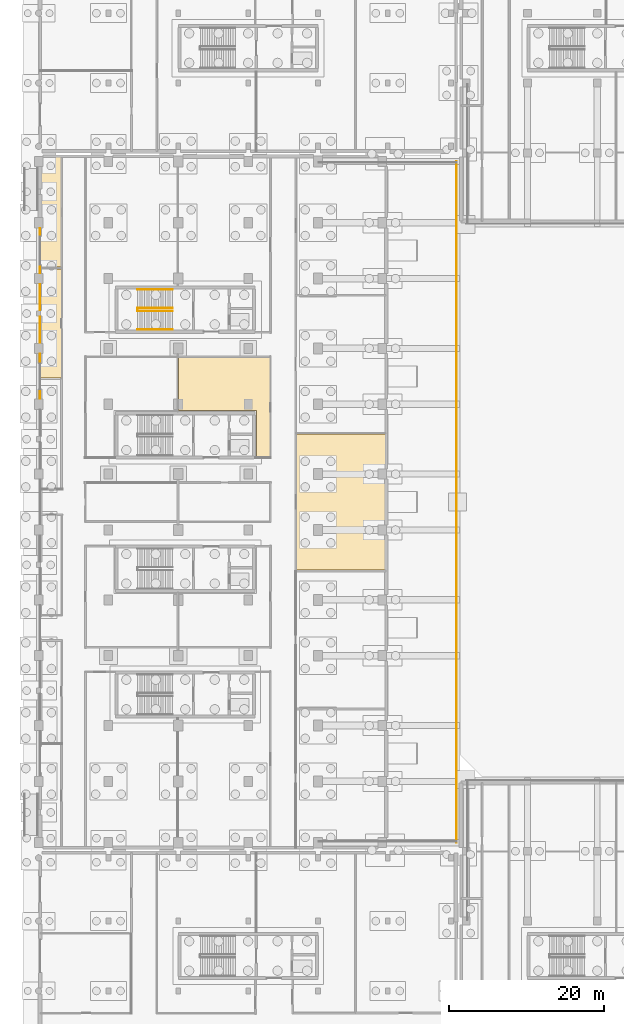
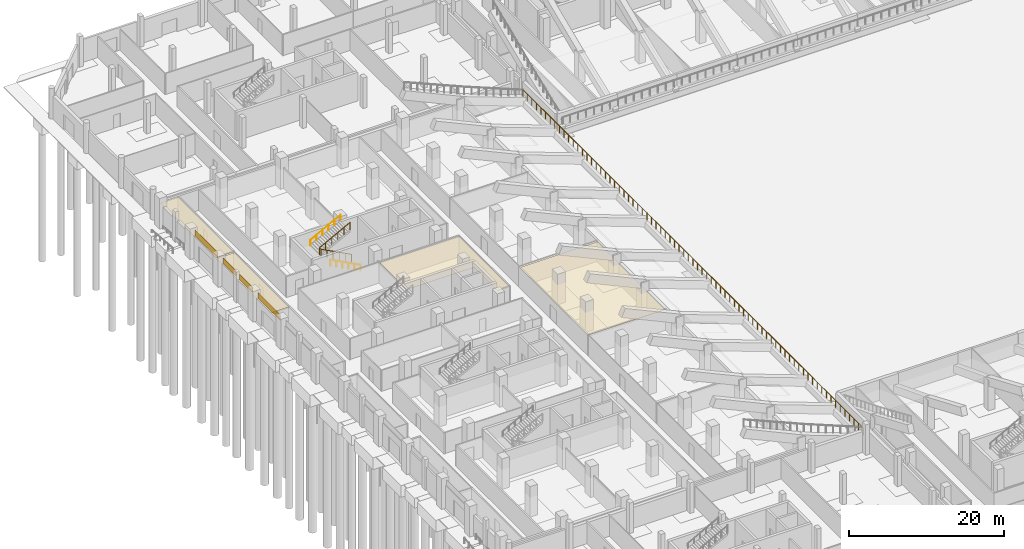
# One storey, part 45 of 53: 8 coverings, 4 railings.
"""IFC4 building model written with IfcOpenShell, lengths in metres."""

from ifc_helpers import new_model, si_unit, direction, frame, origin, origin_2d, place, context, subcontext, project, spatial, polyline, rectangle, circle, outline, extrude, material, layer, layer_set, type_object, element, save


model = new_model("IFC4")

# Units and contexts
model_context = context("Model", 3, precision=1e-05, world=origin(), true_north=direction((0.0, 1.0)))
body_context = subcontext(model_context, "Body", "Model", "MODEL_VIEW")
ifc_project = project(units=[si_unit("LENGTHUNIT", "METRE"), si_unit("AREAUNIT", "SQUARE_METRE"), si_unit("VOLUMEUNIT", "CUBIC_METRE"), si_unit("PLANEANGLEUNIT", "RADIAN"), si_unit("MASSUNIT", "GRAM", prefix="KILO"), si_unit("THERMODYNAMICTEMPERATUREUNIT", "KELVIN"), si_unit("POWERUNIT", "WATT")], contexts=[model_context])

# Site, building, storey
site_placement = place(None, origin())
site = spatial("IfcSite", under=ifc_project, at=site_placement, CompositionType="ELEMENT")
building_placement = place(site_placement, origin())
building = spatial("IfcBuilding", under=site, at=building_placement, Name="Sindhuravela Promenade Stadium", CompositionType="ELEMENT")
storey_placement = place(building_placement, origin())
storey = spatial("IfcBuildingStorey", under=building, at=storey_placement, Name="L00", CompositionType="ELEMENT", Elevation=0.0)

# Coverings
ifc_material_1 = material(Name="Acoustic mineral-fibre ceiling tile", Category="gypsum")
ifc_layer_1 = layer(ifc_material_1, 0.02490234375)
ifc_layer_set_1 = layer_set([ifc_layer_1], Name="Acoustic mineral-fibre ceiling tile")
covering_type_1 = type_object("IfcCoveringType", Name="CV-CEIL-1", PredefinedType="CEILING", material=ifc_layer_set_1)
covering_1_placement = place(storey_placement, frame((0.0, 0.0, 3.050048828125)))
element("IfcCovering", 1, at=covering_1_placement, inside=storey, type_object=covering_type_1, Name="Acoustic ceiling Home Team Changing Suite 2", PredefinedType="CEILING", context=body_context, shape_type="SweptSolid", body=[
    extrude(outline(polyline([(29.860107421875, 99.72998046875), (29.862060546875, 99.72998046875), (29.864013671875, 99.7294921875), (29.86572265625, 99.72900390625), (29.86767578125, 99.728515625), (29.869384765625, 99.7275390625), (29.87109375, 99.7265625), (29.872802734375, 99.7255859375), (29.8740234375, 99.72412109375), (29.87548828125, 99.72265625), (29.876708984375, 99.72119140625), (29.877685546875, 99.719482421875), (29.87841796875, 99.7177734375), (29.879150390625, 99.7158203125), (29.879638671875, 99.7138671875), (29.8798828125, 99.7119140625), (29.8798828125, 99.7099609375), (29.8798828125, 86.68994140625), (29.8798828125, 86.68798828125), (29.879638671875, 86.68603515625), (29.879150390625, 86.68408203125), (29.87841796875, 86.682373046875), (29.877685546875, 86.6806640625), (29.876708984375, 86.678955078125), (29.87548828125, 86.67724609375), (29.8740234375, 86.67578125), (29.872802734375, 86.674560546875), (29.87109375, 86.67333984375), (29.869384765625, 86.67236328125), (29.86767578125, 86.67138671875), (29.86572265625, 86.6708984375), (29.864013671875, 86.67041015625), (29.862060546875, 86.670166015625), (29.860107421875, 86.669921875), (28.10009765625, 86.669921875), (28.097900390625, 86.670166015625), (28.09619140625, 86.67041015625), (28.09423828125, 86.6708984375), (28.09228515625, 86.67138671875), (28.090576171875, 86.67236328125), (28.0888671875, 86.67333984375), (28.08740234375, 86.674560546875), (28.0859375, 86.67578125), (28.08447265625, 86.67724609375), (28.08349609375, 86.678955078125), (28.08251953125, 86.6806640625), (28.08154296875, 86.682373046875), (28.080810546875, 86.68408203125), (28.080322265625, 86.68603515625), (28.080078125, 86.68798828125), (28.080078125, 86.68994140625), (28.080078125, 92.780029296875), (18.070068359375, 92.780029296875), (18.068115234375, 92.780029296875), (18.066162109375, 92.780517578125), (18.064208984375, 92.781005859375), (18.062255859375, 92.781494140625), (18.060546875, 92.782470703125), (18.058837890625, 92.783447265625), (18.057373046875, 92.784423828125), (18.055908203125, 92.785888671875), (18.054443359375, 92.787353515625), (18.053466796875, 92.788818359375), (18.052490234375, 92.79052734375), (18.051513671875, 92.792236328125), (18.05078125, 92.794189453125), (18.05029296875, 92.796142578125), (18.050048828125, 92.798095703125), (18.050048828125, 92.800048828125), (18.050048828125, 99.7099609375), (18.050048828125, 99.7119140625), (18.05029296875, 99.7138671875), (18.05078125, 99.7158203125), (18.051513671875, 99.7177734375), (18.052490234375, 99.719482421875), (18.053466796875, 99.72119140625), (18.054443359375, 99.72265625), (18.055908203125, 99.72412109375), (18.057373046875, 99.7255859375), (18.058837890625, 99.7265625), (18.060546875, 99.7275390625), (18.062255859375, 99.728515625), (18.064208984375, 99.72900390625), (18.066162109375, 99.7294921875), (18.068115234375, 99.72998046875), (18.070068359375, 99.72998046875), (29.860107421875, 99.72998046875)])), origin(), (0.0, 0.0, 1.0), 0.02490234375),
])
covering_2_placement = place(storey_placement, frame((0.0, 0.0, 3.050048828125)))
element("IfcCovering", 2, at=covering_2_placement, inside=storey, type_object=covering_type_1, Name="Acoustic ceiling Media Mixed Zone Hall 8", PredefinedType="CEILING", context=body_context, shape_type="SweptSolid", body=[
    extrude(outline(polyline([(2.97998046875, 97.023193359375), (2.97998046875, 97.021484375), (2.9794921875, 97.019287109375), (2.97900390625, 97.017578125), (2.978515625, 97.015625), (2.9775390625, 97.013916015625), (2.9765625, 97.01220703125), (2.9755859375, 97.010498046875), (2.97412109375, 97.00927734375), (2.97265625, 97.0078125), (2.97119140625, 97.006591796875), (2.969482421875, 97.005615234375), (2.9677734375, 97.0048828125), (2.9658203125, 97.004150390625), (2.9638671875, 97.003662109375), (2.9619140625, 97.00341796875), (2.9599609375, 97.00341796875), (0.320068359375, 97.00341796875), (0.318115234375, 97.00341796875), (0.316162109375, 97.003662109375), (0.314208984375, 97.004150390625), (0.312255859375, 97.0048828125), (0.310546875, 97.005615234375), (0.308837890625, 97.006591796875), (0.307373046875, 97.0078125), (0.305908203125, 97.00927734375), (0.304443359375, 97.010498046875), (0.303466796875, 97.01220703125), (0.302490234375, 97.013916015625), (0.301513671875, 97.015625), (0.30078125, 97.017578125), (0.30029296875, 97.019287109375), (0.300048828125, 97.021484375), (0.300048828125, 97.023193359375), (0.300048828125, 111.046630859375), (0.300048828125, 111.048583984375), (0.30029296875, 111.050537109375), (0.30078125, 111.052490234375), (0.301513671875, 111.05419921875), (0.302490234375, 111.05615234375), (0.303466796875, 111.057861328125), (0.304443359375, 111.059326171875), (0.305908203125, 111.060791015625), (0.307373046875, 111.06201171875), (0.308837890625, 111.063232421875), (0.310546875, 111.064208984375), (0.312255859375, 111.065185546875), (0.314208984375, 111.06591796875), (0.316162109375, 111.06640625), (0.318115234375, 111.066650390625), (0.320068359375, 111.066650390625), (2.9599609375, 111.066650390625), (2.9619140625, 111.066650390625), (2.9638671875, 111.06640625), (2.9658203125, 111.06591796875), (2.9677734375, 111.065185546875), (2.969482421875, 111.064208984375), (2.97119140625, 111.063232421875), (2.97265625, 111.06201171875), (2.97412109375, 111.060791015625), (2.9755859375, 111.059326171875), (2.9765625, 111.057861328125), (2.9775390625, 111.05615234375), (2.978515625, 111.05419921875), (2.97900390625, 111.052490234375), (2.9794921875, 111.050537109375), (2.97998046875, 111.048583984375), (2.97998046875, 111.046630859375), (2.97998046875, 97.023193359375)])), origin(), (0.0, 0.0, 1.0), 0.02490234375),
])
ifc_layer_2 = layer(ifc_material_1, 0.044921875)
ifc_layer_set_2 = layer_set([ifc_layer_2], Name="Acoustic mineral-fibre ceiling tile")
covering_type_2 = type_object("IfcCoveringType", Name="CV-CEIL-2", PredefinedType="CEILING", material=ifc_layer_set_2)
covering_3_placement = place(storey_placement, frame((0.0, 0.0, 3.050048828125)))
element("IfcCovering", 3, at=covering_3_placement, inside=storey, type_object=covering_type_2, Name="Acoustic ceiling Media Mixed Zone Hall", PredefinedType="CEILING", context=body_context, shape_type="SweptSolid", body=[
    extrude(outline(polyline([(44.699951171875, 72.23388671875), (44.699951171875, 72.23193359375), (44.69970703125, 72.22998046875), (44.69921875, 72.228271484375), (44.698486328125, 72.226318359375), (44.697509765625, 72.224609375), (44.696533203125, 72.222900390625), (44.695556640625, 72.22119140625), (44.694091796875, 72.219970703125), (44.692626953125, 72.218505859375), (44.691162109375, 72.21728515625), (44.689453125, 72.21630859375), (44.687744140625, 72.215576171875), (44.685791015625, 72.21484375), (44.683837890625, 72.21435546875), (44.681884765625, 72.214111328125), (44.679931640625, 72.214111328125), (33.139892578125, 72.214111328125), (33.137939453125, 72.214111328125), (33.135986328125, 72.21435546875), (33.13427734375, 72.21484375), (33.13232421875, 72.215576171875), (33.130615234375, 72.21630859375), (33.12890625, 72.21728515625), (33.127197265625, 72.218505859375), (33.1259765625, 72.219970703125), (33.12451171875, 72.22119140625), (33.123291015625, 72.222900390625), (33.122314453125, 72.224609375), (33.12158203125, 72.226318359375), (33.120849609375, 72.228271484375), (33.120361328125, 72.22998046875), (33.1201171875, 72.23193359375), (33.1201171875, 72.23388671875), (33.1201171875, 89.76611328125), (33.1201171875, 89.76806640625), (33.120361328125, 89.77001953125), (33.120849609375, 89.771728515625), (33.12158203125, 89.773681640625), (33.122314453125, 89.775390625), (33.123291015625, 89.777099609375), (33.12451171875, 89.77880859375), (33.1259765625, 89.780029296875), (33.127197265625, 89.781494140625), (33.12890625, 89.78271484375), (33.130615234375, 89.78369140625), (33.13232421875, 89.784423828125), (33.13427734375, 89.78515625), (33.135986328125, 89.78564453125), (33.137939453125, 89.785888671875), (33.139892578125, 89.785888671875), (44.679931640625, 89.785888671875), (44.681884765625, 89.785888671875), (44.683837890625, 89.78564453125), (44.685791015625, 89.78515625), (44.687744140625, 89.784423828125), (44.689453125, 89.78369140625), (44.691162109375, 89.78271484375), (44.692626953125, 89.781494140625), (44.694091796875, 89.780029296875), (44.695556640625, 89.77880859375), (44.696533203125, 89.777099609375), (44.697509765625, 89.775390625), (44.698486328125, 89.773681640625), (44.69921875, 89.771728515625), (44.69970703125, 89.77001953125), (44.699951171875, 89.76806640625), (44.699951171875, 89.76611328125), (44.699951171875, 72.23388671875)])), origin(), (0.0, 0.0, 1.0), 0.044921875),
])
covering_4_placement = place(storey_placement, frame((0.0, 0.0, 3.050048828125)))
element("IfcCovering", 4, at=covering_4_placement, inside=storey, type_object=covering_type_2, Name="Acoustic ceiling Indoor Player Warm-Up Hall 7", PredefinedType="CEILING", context=body_context, shape_type="SweptSolid", body=[
    extrude(outline(polyline([(2.9599609375, 125.449951171875), (2.9619140625, 125.449951171875), (2.9638671875, 125.44970703125), (2.9658203125, 125.44921875), (2.9677734375, 125.448486328125), (2.969482421875, 125.447509765625), (2.97119140625, 125.446533203125), (2.97265625, 125.445556640625), (2.97412109375, 125.444091796875), (2.9755859375, 125.442626953125), (2.9765625, 125.441162109375), (2.9775390625, 125.439453125), (2.978515625, 125.437744140625), (2.97900390625, 125.435791015625), (2.9794921875, 125.433837890625), (2.97998046875, 125.431884765625), (2.97998046875, 125.429931640625), (2.97998046875, 111.28662109375), (2.97998046875, 111.28466796875), (2.9794921875, 111.28271484375), (2.97900390625, 111.281005859375), (2.978515625, 111.279052734375), (2.9775390625, 111.277099609375), (2.9765625, 111.275634765625), (2.9755859375, 111.27392578125), (2.97412109375, 111.2724609375), (2.97265625, 111.271240234375), (2.97119140625, 111.27001953125), (2.969482421875, 111.26904296875), (2.9677734375, 111.268310546875), (2.9658203125, 111.267578125), (2.9638671875, 111.26708984375), (2.9619140625, 111.266845703125), (2.9599609375, 111.2666015625), (0.320068359375, 111.2666015625), (0.318115234375, 111.266845703125), (0.316162109375, 111.26708984375), (0.314208984375, 111.267578125), (0.312255859375, 111.268310546875), (0.310546875, 111.26904296875), (0.308837890625, 111.27001953125), (0.307373046875, 111.271240234375), (0.305908203125, 111.2724609375), (0.304443359375, 111.27392578125), (0.303466796875, 111.275634765625), (0.302490234375, 111.277099609375), (0.301513671875, 111.279052734375), (0.30078125, 111.281005859375), (0.30029296875, 111.28271484375), (0.300048828125, 111.28466796875), (0.300048828125, 111.28662109375), (0.300048828125, 125.429931640625), (0.300048828125, 125.431884765625), (0.30029296875, 125.433837890625), (0.30078125, 125.435791015625), (0.301513671875, 125.437744140625), (0.302490234375, 125.439453125), (0.303466796875, 125.441162109375), (0.304443359375, 125.442626953125), (0.305908203125, 125.444091796875), (0.307373046875, 125.445556640625), (0.308837890625, 125.446533203125), (0.310546875, 125.447509765625), (0.312255859375, 125.448486328125), (0.314208984375, 125.44921875), (0.316162109375, 125.44970703125), (0.318115234375, 125.449951171875), (0.320068359375, 125.449951171875), (2.9599609375, 125.449951171875)])), origin(), (0.0, 0.0, 1.0), 0.044921875),
])
ifc_material_2 = material(Name="Polychrome trencadis ceramic mosaic", Category="masonry")
ifc_layer_3 = layer(ifc_material_2, 0.034912109375)
ifc_layer_set_3 = layer_set([ifc_layer_3], Name="Polychrome trencadis ceramic mosaic")
covering_type_3 = type_object("IfcCoveringType", Name="CV-TRENC-1", PredefinedType="CLADDING", material=ifc_layer_set_3)
covering_5_placement = place(storey_placement, frame((0.179931640625, 97.199951171875, 3.55517578125), z_axis=(0.0, 0.0, 1.0), x_axis=(0.0, 1.0, 0.0)))
element("IfcCovering", 5, at=covering_5_placement, inside=storey, type_object=covering_type_3, Name="Trencadis ceramic mosaic spandrel frieze WEST L00-10", PredefinedType="CLADDING", context=body_context, shape_type="SweptSolid", body=[
    extrude(rectangle(XDim=5.77001953125, YDim=0.034912109375, at=origin_2d()), origin(), (0.0, 0.0, 1.0), 0.905029296875),
])
covering_6_placement = place(storey_placement, frame((0.179931640625, 107.39990234375, 3.55517578125), z_axis=(0.0, 0.0, 1.0), x_axis=(0.0, 1.0, 0.0)))
element("IfcCovering", 6, at=covering_6_placement, inside=storey, type_object=covering_type_3, Name="Trencadis ceramic mosaic spandrel frieze WEST L00-12", PredefinedType="CLADDING", context=body_context, shape_type="SweptSolid", body=[
    extrude(rectangle(XDim=3.3701171875, YDim=0.034912109375, at=origin_2d()), origin(), (0.0, 0.0, 1.0), 0.905029296875),
])
ifc_layer_4 = layer(ifc_material_2, 0.050048828125)
ifc_layer_set_4 = layer_set([ifc_layer_4], Name="Polychrome trencadis ceramic mosaic")
covering_type_4 = type_object("IfcCoveringType", Name="CV-TRENC-2", PredefinedType="CLADDING", material=ifc_layer_set_4)
covering_7_placement = place(storey_placement, frame((0.179931640625, 103.199951171875, 3.55517578125), z_axis=(0.0, 0.0, 1.0), x_axis=(0.0, 1.0, 0.0)))
element("IfcCovering", 7, at=covering_7_placement, inside=storey, type_object=covering_type_4, Name="Trencadis ceramic mosaic spandrel frieze WEST L00-11", PredefinedType="CLADDING", context=body_context, shape_type="SweptSolid", body=[
    extrude(rectangle(XDim=3.3701171875, YDim=0.050048828125, at=origin_2d()), origin(), (0.0, 0.0, 1.0), 0.905029296875),
])
covering_8_placement = place(storey_placement, frame((0.179931640625, 113.39990234375, 3.55517578125), z_axis=(0.0, 0.0, 1.0), x_axis=(0.0, 1.0, 0.0)))
element("IfcCovering", 8, at=covering_8_placement, inside=storey, type_object=covering_type_4, Name="Trencadis ceramic mosaic spandrel frieze WEST L00-13", PredefinedType="CLADDING", context=body_context, shape_type="SweptSolid", body=[
    extrude(rectangle(XDim=5.77001953125, YDim=0.050048828125, at=origin_2d()), origin(), (0.0, 0.0, 1.0), 0.905029296875),
])

# Railings
ifc_material_3 = material(Name="Architectural wrought steel E350", Category="steel")
railing_type_1 = type_object("IfcRailingType", Name="RL-GRD-1150", PredefinedType="GUARDRAIL", material=ifc_material_3)
railing_1_placement = place(storey_placement, frame((53.85009765625, 37.10009765625, 1.449951171875)))
element("IfcRailing", 9, at=railing_1_placement, inside=storey, type_object=railing_type_1, Name="Stand bowl crowd barrier GR01-89", PredefinedType="GUARDRAIL", context=body_context, shape_type="SweptSolid", body=[
    extrude(circle(Radius=0.02392578125, at=origin_2d()), frame((0.0, 0.0, 1.1259765625), z_axis=(0.0, 1.0, 0.0), x_axis=(-1.0, 0.0, 0.0)), (0.0, 0.0, 1.0), 87.7998046875),
    extrude(circle(Radius=0.02099609375, at=origin_2d()), origin(), (0.0, 0.0, 1.0), 1.101806640625),
    extrude(circle(Radius=0.02099609375, at=origin_2d()), frame((0.0, 1.1865234375, 0.0)), (0.0, 0.0, 1.0), 1.101806640625),
    extrude(circle(Radius=0.02099609375, at=origin_2d()), frame((0.0, 2.373046875, 0.0)), (0.0, 0.0, 1.0), 1.101806640625),
    extrude(circle(Radius=0.02099609375, at=origin_2d()), frame((0.0, 3.5595703125, 0.0)), (0.0, 0.0, 1.0), 1.101806640625),
    extrude(circle(Radius=0.02099609375, at=origin_2d()), frame((0.0, 4.745849609375, 0.0)), (0.0, 0.0, 1.0), 1.101806640625),
    extrude(circle(Radius=0.02099609375, at=origin_2d()), frame((0.0, 5.932373046875, 0.0)), (0.0, 0.0, 1.0), 1.101806640625),
    extrude(circle(Radius=0.02099609375, at=origin_2d()), frame((0.0, 7.118896484375, 0.0)), (0.0, 0.0, 1.0), 1.101806640625),
    extrude(circle(Radius=0.02099609375, at=origin_2d()), frame((0.0, 8.305419921875, 0.0)), (0.0, 0.0, 1.0), 1.101806640625),
    extrude(circle(Radius=0.02099609375, at=origin_2d()), frame((0.0, 9.491943359375, 0.0)), (0.0, 0.0, 1.0), 1.101806640625),
    extrude(circle(Radius=0.02099609375, at=origin_2d()), frame((0.0, 10.678466796875, 0.0)), (0.0, 0.0, 1.0), 1.101806640625),
    extrude(circle(Radius=0.02099609375, at=origin_2d()), frame((0.0, 11.86474609375, 0.0)), (0.0, 0.0, 1.0), 1.101806640625),
    extrude(circle(Radius=0.02099609375, at=origin_2d()), frame((0.0, 13.05126953125, 0.0)), (0.0, 0.0, 1.0), 1.101806640625),
    extrude(circle(Radius=0.02099609375, at=origin_2d()), frame((0.0, 14.23779296875, 0.0)), (0.0, 0.0, 1.0), 1.101806640625),
    extrude(circle(Radius=0.02099609375, at=origin_2d()), frame((0.0, 15.42431640625, 0.0)), (0.0, 0.0, 1.0), 1.101806640625),
    extrude(circle(Radius=0.02099609375, at=origin_2d()), frame((0.0, 16.61083984375, 0.0)), (0.0, 0.0, 1.0), 1.101806640625),
    extrude(circle(Radius=0.02099609375, at=origin_2d()), frame((0.0, 17.79736328125, 0.0)), (0.0, 0.0, 1.0), 1.101806640625),
    extrude(circle(Radius=0.02099609375, at=origin_2d()), frame((0.0, 18.983642578125, 0.0)), (0.0, 0.0, 1.0), 1.101806640625),
    extrude(circle(Radius=0.02099609375, at=origin_2d()), frame((0.0, 20.170166015625, 0.0)), (0.0, 0.0, 1.0), 1.101806640625),
    extrude(circle(Radius=0.02099609375, at=origin_2d()), frame((0.0, 21.356689453125, 0.0)), (0.0, 0.0, 1.0), 1.101806640625),
    extrude(circle(Radius=0.02099609375, at=origin_2d()), frame((0.0, 22.543212890625, 0.0)), (0.0, 0.0, 1.0), 1.101806640625),
    extrude(circle(Radius=0.02099609375, at=origin_2d()), frame((0.0, 23.729736328125, 0.0)), (0.0, 0.0, 1.0), 1.101806640625),
    extrude(circle(Radius=0.02099609375, at=origin_2d()), frame((0.0, 24.916259765625, 0.0)), (0.0, 0.0, 1.0), 1.101806640625),
    extrude(circle(Radius=0.02099609375, at=origin_2d()), frame((0.0, 26.1025390625, 0.0)), (0.0, 0.0, 1.0), 1.101806640625),
    extrude(circle(Radius=0.02099609375, at=origin_2d()), frame((0.0, 27.2890625, 0.0)), (0.0, 0.0, 1.0), 1.101806640625),
    extrude(circle(Radius=0.02099609375, at=origin_2d()), frame((0.0, 28.4755859375, 0.0)), (0.0, 0.0, 1.0), 1.101806640625),
    extrude(circle(Radius=0.02099609375, at=origin_2d()), frame((0.0, 29.662109375, 0.0)), (0.0, 0.0, 1.0), 1.101806640625),
    extrude(circle(Radius=0.02099609375, at=origin_2d()), frame((0.0, 30.8486328125, 0.0)), (0.0, 0.0, 1.0), 1.101806640625),
    extrude(circle(Radius=0.02099609375, at=origin_2d()), frame((0.0, 32.03515625, 0.0)), (0.0, 0.0, 1.0), 1.101806640625),
    extrude(circle(Radius=0.02099609375, at=origin_2d()), frame((0.0, 33.221435546875, 0.0)), (0.0, 0.0, 1.0), 1.101806640625),
    extrude(circle(Radius=0.02099609375, at=origin_2d()), frame((0.0, 34.407958984375, 0.0)), (0.0, 0.0, 1.0), 1.101806640625),
    extrude(circle(Radius=0.02099609375, at=origin_2d()), frame((0.0, 35.594482421875, 0.0)), (0.0, 0.0, 1.0), 1.101806640625),
    extrude(circle(Radius=0.02099609375, at=origin_2d()), frame((0.0, 36.781005859375, 0.0)), (0.0, 0.0, 1.0), 1.101806640625),
    extrude(circle(Radius=0.02099609375, at=origin_2d()), frame((0.0, 37.967529296875, 0.0)), (0.0, 0.0, 1.0), 1.101806640625),
    extrude(circle(Radius=0.02099609375, at=origin_2d()), frame((0.0, 39.154052734375, 0.0)), (0.0, 0.0, 1.0), 1.101806640625),
    extrude(circle(Radius=0.02099609375, at=origin_2d()), frame((0.0, 40.34033203125, 0.0)), (0.0, 0.0, 1.0), 1.101806640625),
    extrude(circle(Radius=0.02099609375, at=origin_2d()), frame((0.0, 41.52685546875, 0.0)), (0.0, 0.0, 1.0), 1.101806640625),
    extrude(circle(Radius=0.02099609375, at=origin_2d()), frame((0.0, 42.71337890625, 0.0)), (0.0, 0.0, 1.0), 1.101806640625),
    extrude(circle(Radius=0.02099609375, at=origin_2d()), frame((0.0, 43.89990234375, 0.0)), (0.0, 0.0, 1.0), 1.101806640625),
    extrude(circle(Radius=0.02099609375, at=origin_2d()), frame((0.0, 45.08642578125, 0.0)), (0.0, 0.0, 1.0), 1.101806640625),
    extrude(circle(Radius=0.02099609375, at=origin_2d()), frame((0.0, 46.27294921875, 0.0)), (0.0, 0.0, 1.0), 1.101806640625),
    extrude(circle(Radius=0.02099609375, at=origin_2d()), frame((0.0, 47.45947265625, 0.0)), (0.0, 0.0, 1.0), 1.101806640625),
    extrude(circle(Radius=0.02099609375, at=origin_2d()), frame((0.0, 48.645751953125, 0.0)), (0.0, 0.0, 1.0), 1.101806640625),
    extrude(circle(Radius=0.02099609375, at=origin_2d()), frame((0.0, 49.832275390625, 0.0)), (0.0, 0.0, 1.0), 1.101806640625),
    extrude(circle(Radius=0.02099609375, at=origin_2d()), frame((0.0, 51.018798828125, 0.0)), (0.0, 0.0, 1.0), 1.101806640625),
    extrude(circle(Radius=0.02099609375, at=origin_2d()), frame((0.0, 52.205322265625, 0.0)), (0.0, 0.0, 1.0), 1.101806640625),
    extrude(circle(Radius=0.02099609375, at=origin_2d()), frame((0.0, 53.391845703125, 0.0)), (0.0, 0.0, 1.0), 1.101806640625),
    extrude(circle(Radius=0.02099609375, at=origin_2d()), frame((0.0, 54.578369140625, 0.0)), (0.0, 0.0, 1.0), 1.101806640625),
    extrude(circle(Radius=0.02099609375, at=origin_2d()), frame((0.0, 55.7646484375, 0.0)), (0.0, 0.0, 1.0), 1.101806640625),
    extrude(circle(Radius=0.02099609375, at=origin_2d()), frame((0.0, 56.951171875, 0.0)), (0.0, 0.0, 1.0), 1.101806640625),
    extrude(circle(Radius=0.02099609375, at=origin_2d()), frame((0.0, 58.1376953125, 0.0)), (0.0, 0.0, 1.0), 1.101806640625),
    extrude(circle(Radius=0.02099609375, at=origin_2d()), frame((0.0, 59.32421875, 0.0)), (0.0, 0.0, 1.0), 1.101806640625),
    extrude(circle(Radius=0.02099609375, at=origin_2d()), frame((0.0, 60.5107421875, 0.0)), (0.0, 0.0, 1.0), 1.101806640625),
    extrude(circle(Radius=0.02099609375, at=origin_2d()), frame((0.0, 61.697265625, 0.0)), (0.0, 0.0, 1.0), 1.101806640625),
    extrude(circle(Radius=0.02099609375, at=origin_2d()), frame((0.0, 62.883544921875, 0.0)), (0.0, 0.0, 1.0), 1.101806640625),
    extrude(circle(Radius=0.02099609375, at=origin_2d()), frame((0.0, 64.070068359375, 0.0)), (0.0, 0.0, 1.0), 1.101806640625),
    extrude(circle(Radius=0.02099609375, at=origin_2d()), frame((0.0, 65.256591796875, 0.0)), (0.0, 0.0, 1.0), 1.101806640625),
    extrude(circle(Radius=0.02099609375, at=origin_2d()), frame((0.0, 66.443115234375, 0.0)), (0.0, 0.0, 1.0), 1.101806640625),
    extrude(circle(Radius=0.02099609375, at=origin_2d()), frame((0.0, 67.629638671875, 0.0)), (0.0, 0.0, 1.0), 1.101806640625),
    extrude(circle(Radius=0.02099609375, at=origin_2d()), frame((0.0, 68.816162109375, 0.0)), (0.0, 0.0, 1.0), 1.101806640625),
    extrude(circle(Radius=0.02099609375, at=origin_2d()), frame((0.0, 70.00244140625, 0.0)), (0.0, 0.0, 1.0), 1.101806640625),
    extrude(circle(Radius=0.02099609375, at=origin_2d()), frame((0.0, 71.18896484375, 0.0)), (0.0, 0.0, 1.0), 1.101806640625),
    extrude(circle(Radius=0.02099609375, at=origin_2d()), frame((0.0, 72.37548828125, 0.0)), (0.0, 0.0, 1.0), 1.101806640625),
    extrude(circle(Radius=0.02099609375, at=origin_2d()), frame((0.0, 73.56201171875, 0.0)), (0.0, 0.0, 1.0), 1.101806640625),
    extrude(circle(Radius=0.02099609375, at=origin_2d()), frame((0.0, 74.74853515625, 0.0)), (0.0, 0.0, 1.0), 1.101806640625),
    extrude(circle(Radius=0.02099609375, at=origin_2d()), frame((0.0, 75.93505859375, 0.0)), (0.0, 0.0, 1.0), 1.101806640625),
    extrude(circle(Radius=0.02099609375, at=origin_2d()), frame((0.0, 77.121337890625, 0.0)), (0.0, 0.0, 1.0), 1.101806640625),
    extrude(circle(Radius=0.02099609375, at=origin_2d()), frame((0.0, 78.307861328125, 0.0)), (0.0, 0.0, 1.0), 1.101806640625),
    extrude(circle(Radius=0.02099609375, at=origin_2d()), frame((0.0, 79.494384765625, 0.0)), (0.0, 0.0, 1.0), 1.101806640625),
    extrude(circle(Radius=0.02099609375, at=origin_2d()), frame((0.0, 80.680908203125, 0.0)), (0.0, 0.0, 1.0), 1.101806640625),
    extrude(circle(Radius=0.02099609375, at=origin_2d()), frame((0.0, 81.867431640625, 0.0)), (0.0, 0.0, 1.0), 1.101806640625),
    extrude(circle(Radius=0.02099609375, at=origin_2d()), frame((0.0, 83.053955078125, 0.0)), (0.0, 0.0, 1.0), 1.101806640625),
    extrude(circle(Radius=0.02099609375, at=origin_2d()), frame((0.0, 84.240234375, 0.0)), (0.0, 0.0, 1.0), 1.101806640625),
    extrude(circle(Radius=0.02099609375, at=origin_2d()), frame((0.0, 85.4267578125, 0.0)), (0.0, 0.0, 1.0), 1.101806640625),
    extrude(circle(Radius=0.02099609375, at=origin_2d()), frame((0.0, 86.61328125, 0.0)), (0.0, 0.0, 1.0), 1.101806640625),
    extrude(circle(Radius=0.02099609375, at=origin_2d()), frame((0.0, 87.7998046875, 0.0)), (0.0, 0.0, 1.0), 1.101806640625),
])
railing_2_placement = place(storey_placement, frame((17.25, 105.610107421875, 0.0)))
element("IfcRailing", 10, at=railing_2_placement, inside=storey, type_object=railing_type_1, Name="Stair ST04 inner well guard (L00)", PredefinedType="GUARDRAIL", context=body_context, shape_type="SweptSolid", body=[
    extrude(circle(Radius=0.02392578125, at=origin_2d()), frame((0.0, 0.0, 1.1259765625), z_axis=(-0.8836546633431795, 0.0, 0.46813933390802775), x_axis=(0.0, -1.0, 0.0)), (0.0, 0.0, 1.0), 5.12646484375),
    extrude(circle(Radius=0.02392578125, at=origin_2d()), frame((-4.530029296875, 0.0, 3.52587890625), z_axis=(0.0, 1.0, 0.0), x_axis=(-1.0, 0.0, 0.0)), (0.0, 0.0, 1.0), 0.3798828125),
    extrude(circle(Radius=0.02392578125, at=origin_2d()), frame((-4.530029296875, 0.3798828125, 3.52587890625), z_axis=(0.8836349624059475, 0.0, 0.46817651928929505), x_axis=(0.0, 1.0, 0.0)), (0.0, 0.0, 1.0), 5.12646484375),
    extrude(circle(Radius=0.02099609375, at=origin_2d()), origin(), (0.0, 0.0, 1.0), 1.101806640625),
    extrude(circle(Radius=0.02099609375, at=origin_2d()), frame((-0.906005859375, 0.0, 0.47998046875)), (0.0, 0.0, 1.0), 1.101806640625),
    extrude(circle(Radius=0.02099609375, at=origin_2d()), frame((-1.81201171875, 0.0, 0.9599609375)), (0.0, 0.0, 1.0), 1.101806640625),
    extrude(circle(Radius=0.02099609375, at=origin_2d()), frame((-2.718017578125, 0.0, 1.43994140625)), (0.0, 0.0, 1.0), 1.101806640625),
    extrude(circle(Radius=0.02099609375, at=origin_2d()), frame((-3.6240234375, 0.0, 1.919921875)), (0.0, 0.0, 1.0), 1.101806640625),
    extrude(circle(Radius=0.02099609375, at=origin_2d()), frame((-4.530029296875, 0.0, 2.39990234375)), (0.0, 0.0, 1.0), 1.101806640625),
    extrude(circle(Radius=0.02099609375, at=origin_2d()), frame((-4.530029296875, 0.3798828125, 2.39990234375)), (0.0, 0.0, 1.0), 1.101806640625),
    extrude(circle(Radius=0.02099609375, at=origin_2d()), frame((-3.6240234375, 0.3798828125, 2.8798828125)), (0.0, 0.0, 1.0), 1.101806640625),
    extrude(circle(Radius=0.02099609375, at=origin_2d()), frame((-2.718017578125, 0.3798828125, 3.35986328125)), (0.0, 0.0, 1.0), 1.101806640625),
    extrude(circle(Radius=0.02099609375, at=origin_2d()), frame((-1.81201171875, 0.3798828125, 3.840087890625)), (0.0, 0.0, 1.0), 1.101806640625),
    extrude(circle(Radius=0.02099609375, at=origin_2d()), frame((-0.906005859375, 0.3798828125, 4.320068359375)), (0.0, 0.0, 1.0), 1.101806640625),
    extrude(circle(Radius=0.02099609375, at=origin_2d()), frame((0.0, 0.3798828125, 4.800048828125)), (0.0, 0.0, 1.0), 1.101806640625),
])
railing_type_2 = type_object("IfcRailingType", Name="RL-HND-920", PredefinedType="HANDRAIL", material=ifc_material_3)
railing_3_placement = place(storey_placement, frame((17.25, 103.219970703125, 0.0)))
element("IfcRailing", 11, at=railing_3_placement, inside=storey, type_object=railing_type_2, Name="Stair ST04 lower wall handrail (L00)", PredefinedType="HANDRAIL", context=body_context, shape_type="SweptSolid", body=[
    extrude(circle(Radius=0.02392578125, at=origin_2d()), frame((0.0, 0.0, 0.89599609375), z_axis=(-0.8823608919668723, 0.0, 0.4705733272588083), x_axis=(0.0, -1.0, 0.0)), (0.0, 0.0, 1.0), 5.099853515625),
    extrude(circle(Radius=0.02099609375, at=origin_2d()), origin(), (0.0, 0.0, 1.0), 0.871826171875),
    extrude(circle(Radius=0.02099609375, at=origin_2d()), frame((-0.89990234375, 0.0, 0.47998046875)), (0.0, 0.0, 1.0), 0.871826171875),
    extrude(circle(Radius=0.02099609375, at=origin_2d()), frame((-1.800048828125, 0.0, 0.9599609375)), (0.0, 0.0, 1.0), 0.871826171875),
    extrude(circle(Radius=0.02099609375, at=origin_2d()), frame((-2.699951171875, 0.0, 1.43994140625)), (0.0, 0.0, 1.0), 0.871826171875),
    extrude(circle(Radius=0.02099609375, at=origin_2d()), frame((-3.60009765625, 0.0, 1.919921875)), (0.0, 0.0, 1.0), 0.871826171875),
    extrude(circle(Radius=0.02099609375, at=origin_2d()), frame((-4.5, 0.0, 2.39990234375)), (0.0, 0.0, 1.0), 0.871826171875),
])
railing_4_placement = place(storey_placement, frame((12.75, 108.3798828125, 2.39990234375)))
element("IfcRailing", 12, at=railing_4_placement, inside=storey, type_object=railing_type_2, Name="Stair ST04 upper wall handrail (L00)", PredefinedType="HANDRAIL", context=body_context, shape_type="SweptSolid", body=[
    extrude(circle(Radius=0.02392578125, at=origin_2d()), frame((0.0, 0.0, 0.89599609375), z_axis=(0.8823410147872734, 0.0, 0.47061059659145427), x_axis=(0.0, 1.0, 0.0)), (0.0, 0.0, 1.0), 5.10009765625),
    extrude(circle(Radius=0.02099609375, at=origin_2d()), origin(), (0.0, 0.0, 1.0), 0.871826171875),
    extrude(circle(Radius=0.02099609375, at=origin_2d()), frame((0.89990234375, 0.0, 0.47998046875)), (0.0, 0.0, 1.0), 0.871826171875),
    extrude(circle(Radius=0.02099609375, at=origin_2d()), frame((1.800048828125, 0.0, 0.9599609375)), (0.0, 0.0, 1.0), 0.871826171875),
    extrude(circle(Radius=0.02099609375, at=origin_2d()), frame((2.699951171875, 0.0, 1.440185546875)), (0.0, 0.0, 1.0), 0.871826171875),
    extrude(circle(Radius=0.02099609375, at=origin_2d()), frame((3.60009765625, 0.0, 1.920166015625)), (0.0, 0.0, 1.0), 0.871826171875),
    extrude(circle(Radius=0.02099609375, at=origin_2d()), frame((4.5, 0.0, 2.400146484375)), (0.0, 0.0, 1.0), 0.871826171875),
])

save(model, "model.ifc")
